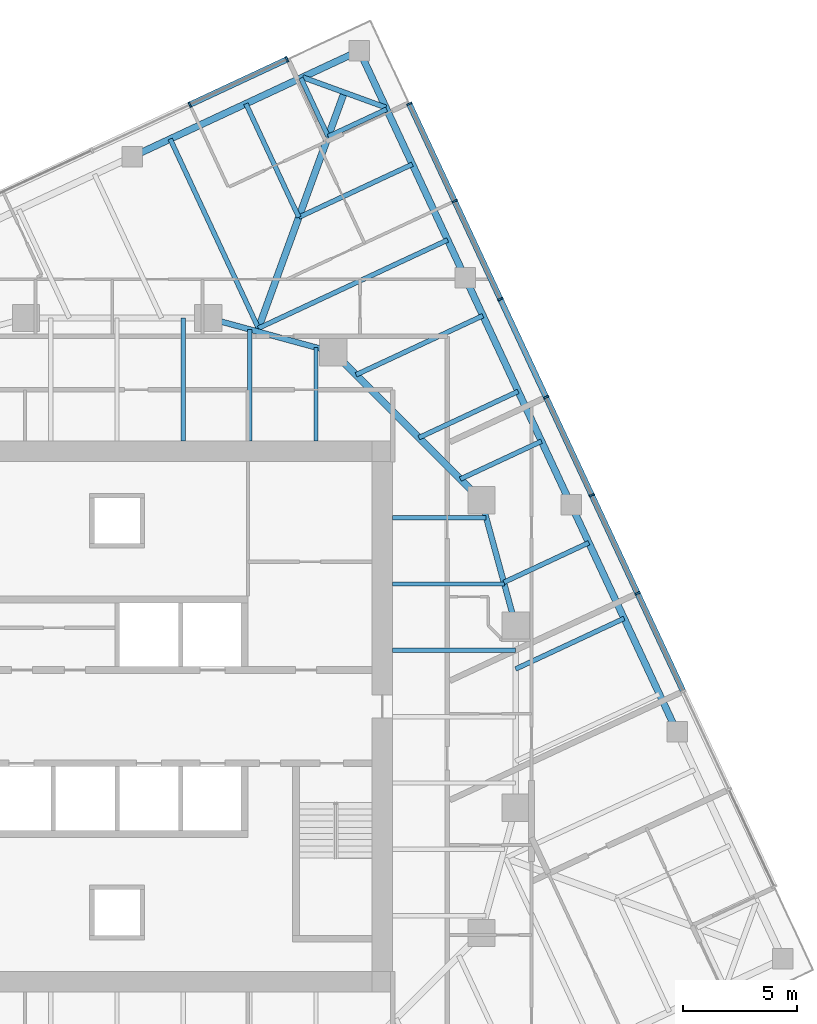
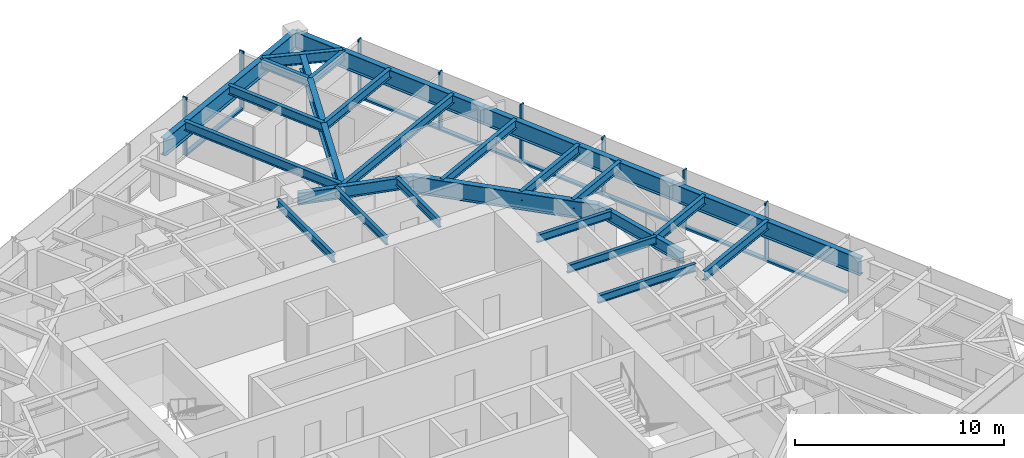
# One storey, part 5 of 13: 26 beams, 15 members, 2 elements without a shape of their own.
"""IFC4 building model written with IfcOpenShell, lengths in metres."""

from ifc_helpers import new_model, si_unit, direction, frame, origin, origin_2d, place, context, subcontext, project, spatial, rectangle, i_section, extrude, material, material_profile, profile_set, type_object, element, aggregate, save


model = new_model("IFC4")

# Units and contexts
model_context = context("Model", 3, precision=1e-05, world=origin(), true_north=direction((0.0, 1.0)))
body_context = subcontext(model_context, "Body", "Model", "MODEL_VIEW")
ifc_project = project(units=[si_unit("LENGTHUNIT", "METRE"), si_unit("AREAUNIT", "SQUARE_METRE"), si_unit("VOLUMEUNIT", "CUBIC_METRE"), si_unit("PLANEANGLEUNIT", "RADIAN"), si_unit("MASSUNIT", "GRAM", prefix="KILO")], contexts=[model_context])

# Site, building, storey
site_placement = place(None, origin())
site = spatial("IfcSite", under=ifc_project, at=site_placement, CompositionType="ELEMENT")
building_placement = place(site_placement, origin())
building = spatial("IfcBuilding", under=site, at=building_placement, Name="Torsade Residences", CompositionType="ELEMENT")
storey_placement = place(building_placement, frame((0.0, 0.0, 196.39990234375)))
storey = spatial("IfcBuildingStorey", under=building, at=storey_placement, Name="L54", CompositionType="ELEMENT", Elevation=196.39990234375)

# Beams
ifc_material_1 = material(Name="Steel grade 300", Category="steel")
ifc_material_profile_1 = material_profile(ifc_material_1, i_section(OverallWidth=0.300048828125, OverallDepth=0.89990234375, WebThickness=0.011962890625, FlangeThickness=0.02490234375, at=origin_2d()), Name="900WB175")
ifc_profile_set_1 = profile_set([ifc_material_profile_1], Name="Steel grade 300")
beam_type_1 = type_object("IfcBeamType", Name="CORNER GIRDER 900WB175", PredefinedType="BEAM", material=ifc_profile_set_1)
beam_1_placement = place(storey_placement, frame((49.97607421875, 57.4091796875, 2.800048828125), z_axis=(-0.342015044723, -0.93969447651, 0.0), x_axis=(0.93969447651, -0.342015044723, 0.0)))
element("IfcBeam", 1, at=beam_1_placement, inside=storey, type_object=beam_type_1, Name="Corner girder 09 L55", PredefinedType="BEAM", context=body_context, shape_type="SweptSolid", body=[
    extrude(i_section(OverallWidth=0.300048828125, OverallDepth=0.89990234375, WebThickness=0.011962890625, FlangeThickness=0.02490234375, at=origin_2d()), origin(), (0.0, 0.0, 1.0), 11.170654296875),
])
ifc_material_2 = material(Name="Steel grade 300", Category="steel")
ifc_material_profile_2 = material_profile(ifc_material_2, i_section(OverallWidth=0.22802734375, OverallDepth=0.60205078125, WebThickness=0.010498046875, FlangeThickness=0.014892578125, FilletRadius=0.013916015625, at=origin_2d()), Name="610UB101")
ifc_profile_set_2 = profile_set([ifc_material_profile_2], Name="Steel grade 300")
beam_type_2 = type_object("IfcBeamType", Name="CORNER TRIMMER 610UB101", PredefinedType="BEAM", material=ifc_profile_set_2)
beam_2_placement = place(storey_placement, frame((48.14892578125, 58.07421875, 2.94921875), z_axis=(0.939698076972, -0.342005152204, 0.0), x_axis=(0.342005152204, 0.939698076972, 0.0)))
element("IfcBeam", 2, at=beam_2_placement, inside=storey, type_object=beam_type_2, Name="Corner trimmer 09 L55", PredefinedType="BEAM", context=body_context, shape_type="SweptSolid", body=[
    extrude(i_section(OverallWidth=0.22802734375, OverallDepth=0.60205078125, WebThickness=0.010498046875, FlangeThickness=0.014892578125, FilletRadius=0.013916015625, at=origin_2d()), origin(), (0.0, 0.0, 1.0), 3.88916015625),
])
ifc_material_3 = material(Name="Steel grade 300", Category="steel")
ifc_material_profile_3 = material_profile(ifc_material_3, i_section(OverallWidth=0.300048828125, OverallDepth=1.0, WebThickness=0.01611328125, FlangeThickness=0.028076171875, at=origin_2d()), Name="1000WB215")
ifc_profile_set_3 = profile_set([ifc_material_profile_3], Name="Steel grade 300")
beam_type_3 = type_object("IfcBeamType", Name="EDGE BEAM 1000WB215", PredefinedType="SPANDREL", material=ifc_profile_set_3)
beam_3_placement = place(storey_placement, frame((64.587646484375, 29.328125, 2.75), z_axis=(-0.422624219007, 0.906305009094, 0.0), x_axis=(-0.906305009094, -0.422624219007, 0.0)))
element("IfcBeam", 3, at=beam_3_placement, inside=storey, type_object=beam_type_3, Name="Edge beam 06 L55", PredefinedType="SPANDREL", context=body_context, shape_type="SweptSolid", body=[
    extrude(i_section(OverallWidth=0.300048828125, OverallDepth=1.0, WebThickness=0.01611328125, FlangeThickness=0.028076171875, at=origin_2d()), origin(), (0.0, 0.0, 1.0), 11.000244140625),
])
for number, where, z_axis, x_axis, name in (
    (4, (59.938720703125, 39.297607421875, 2.75), (-0.422605988587, 0.906313510001, 0.0), (-0.906313510001, -0.422605988587, 0.0), "Edge beam 07 L55"),
    (5, (55.2900390625, 49.26708984375, 2.75), (-0.422632720171, 0.90630104482, 0.0), (-0.90630104482, -0.422632720171, 0.0), "Edge beam 08 L55"),
):
    element("IfcBeam", number, at=place(storey_placement, frame(where, z_axis=z_axis, x_axis=x_axis)), inside=storey, type_object=beam_type_3, Name=name, PredefinedType="SPANDREL", context=body_context, shape_type="SweptSolid", body=[
        extrude(i_section(OverallWidth=0.300048828125, OverallDepth=1.0, WebThickness=0.01611328125, FlangeThickness=0.028076171875, at=origin_2d()), origin(), (0.0, 0.0, 1.0), 11.0),
    ])
beam_4_placement = place(storey_placement, frame((50.64111328125, 59.236328125, 2.75), z_axis=(-0.906309546032, -0.422614489543, 0.0), x_axis=(0.422614489543, -0.906309546032, 0.0)))
element("IfcBeam", 6, at=beam_4_placement, inside=storey, type_object=beam_type_3, Name="Edge beam 09 L55", PredefinedType="SPANDREL", context=body_context, shape_type="SweptSolid", body=[
    extrude(i_section(OverallWidth=0.300048828125, OverallDepth=1.0, WebThickness=0.01611328125, FlangeThickness=0.028076171875, at=origin_2d()), origin(), (0.0, 0.0, 1.0), 10.999755859375),
])
ifc_material_4 = material(Name="Steel grade 300", Category="steel")
ifc_material_profile_4 = material_profile(ifc_material_4, i_section(OverallWidth=0.18994140625, OverallDepth=0.4541015625, WebThickness=0.008544921875, FlangeThickness=0.0126953125, FilletRadius=0.011474609375, at=origin_2d()), Name="460UB67.1")
ifc_profile_set_4 = profile_set([ifc_material_profile_4], Name="Steel grade 300")
beam_type_4 = type_object("IfcBeamType", Name="INNER FLOOR BEAM 460UB67.1", PredefinedType="JOIST", material=ifc_profile_set_4)
beam_5_placement = place(storey_placement, frame((42.91259765625, 42.10009765625, 3.023193359375), z_axis=(0.0, 1.0, 0.0), x_axis=(-1.0, 0.0, 0.0)))
element("IfcBeam", 7, at=beam_5_placement, inside=storey, type_object=beam_type_4, Name="Inner floor beam IN05 L55", PredefinedType="JOIST", context=body_context, shape_type="SweptSolid", body=[
    extrude(i_section(OverallWidth=0.18994140625, OverallDepth=0.4541015625, WebThickness=0.008544921875, FlangeThickness=0.0126953125, FilletRadius=0.011474609375, at=origin_2d()), origin(), (0.0, 0.0, 1.0), 5.39990234375),
])
beam_6_placement = place(storey_placement, frame((45.824951171875, 42.10009765625, 3.023193359375), z_axis=(0.0, 1.0, 0.0), x_axis=(-1.0, 0.0, 0.0)))
element("IfcBeam", 8, at=beam_6_placement, inside=storey, type_object=beam_type_4, Name="Inner floor beam IN06 L55", PredefinedType="JOIST", context=body_context, shape_type="SweptSolid", body=[
    extrude(i_section(OverallWidth=0.18994140625, OverallDepth=0.4541015625, WebThickness=0.008544921875, FlangeThickness=0.0126953125, FilletRadius=0.011474609375, at=origin_2d()), origin(), (0.0, 0.0, 1.0), 4.902099609375),
])
beam_7_placement = place(storey_placement, frame((48.737548828125, 42.10009765625, 3.023193359375), z_axis=(0.0, 1.0, 0.0), x_axis=(-1.0, 0.0, 0.0)))
element("IfcBeam", 9, at=beam_7_placement, inside=storey, type_object=beam_type_4, Name="Inner floor beam IN07 L55", PredefinedType="JOIST", context=body_context, shape_type="SweptSolid", body=[
    extrude(i_section(OverallWidth=0.18994140625, OverallDepth=0.4541015625, WebThickness=0.008544921875, FlangeThickness=0.0126953125, FilletRadius=0.011474609375, at=origin_2d()), origin(), (0.0, 0.0, 1.0), 4.10791015625),
])
beam_8_placement = place(storey_placement, frame((52.10009765625, 32.91259765625, 3.023193359375), z_axis=(1.0, 0.0, 0.0), x_axis=(0.0, 1.0, 0.0)))
element("IfcBeam", 10, at=beam_8_placement, inside=storey, type_object=beam_type_4, Name="Inner floor beam IE05 L55", PredefinedType="JOIST", context=body_context, shape_type="SweptSolid", body=[
    extrude(i_section(OverallWidth=0.18994140625, OverallDepth=0.4541015625, WebThickness=0.008544921875, FlangeThickness=0.0126953125, FilletRadius=0.011474609375, at=origin_2d()), origin(), (0.0, 0.0, 1.0), 5.39990234375),
])
beam_9_placement = place(storey_placement, frame((52.10009765625, 35.824951171875, 3.023193359375), z_axis=(1.0, 0.0, 0.0), x_axis=(0.0, 1.0, 0.0)))
element("IfcBeam", 11, at=beam_9_placement, inside=storey, type_object=beam_type_4, Name="Inner floor beam IE06 L55", PredefinedType="JOIST", context=body_context, shape_type="SweptSolid", body=[
    extrude(i_section(OverallWidth=0.18994140625, OverallDepth=0.4541015625, WebThickness=0.008544921875, FlangeThickness=0.0126953125, FilletRadius=0.011474609375, at=origin_2d()), origin(), (0.0, 0.0, 1.0), 4.902099609375),
])
beam_10_placement = place(storey_placement, frame((52.10009765625, 38.737548828125, 3.023193359375), z_axis=(1.0, 0.0, 0.0), x_axis=(0.0, 1.0, 0.0)))
element("IfcBeam", 12, at=beam_10_placement, inside=storey, type_object=beam_type_4, Name="Inner floor beam IE07 L55", PredefinedType="JOIST", context=body_context, shape_type="SweptSolid", body=[
    extrude(i_section(OverallWidth=0.18994140625, OverallDepth=0.4541015625, WebThickness=0.008544921875, FlangeThickness=0.0126953125, FilletRadius=0.011474609375, at=origin_2d()), origin(), (0.0, 0.0, 1.0), 4.10791015625),
])

# Curtain wall, members
ifc_material_5 = material(Name="Aluminium and glass", Category="aluminium")
curtain_wall_type = type_object("IfcCurtainWallType", Name="FRITTED GLASS CURTAIN WALL MID ZONE", PredefinedType="NOTDEFINED", material=ifc_material_5)
curtain_wall_1_placement = place(storey_placement, origin())
curtain_wall_1 = element("IfcCurtainWall", 13, at=curtain_wall_1_placement, inside=storey, type_object=curtain_wall_type, Name="Curtain wall L54 face 4", PredefinedType="NOTDEFINED")
ifc_material_6 = material(Name="Aluminium mullion", Category="aluminium")
ifc_material_profile_5 = material_profile(ifc_material_6, rectangle(XDim=0.25, YDim=0.080078125, at=origin_2d()), Name="MID ZONE CURTAIN WALL MULLION 250x80")
ifc_profile_set_5 = profile_set([ifc_material_profile_5], Name="Aluminium mullion")
member_type_1 = type_object("IfcMemberType", Name="MID ZONE CURTAIN WALL MULLION 250x80", PredefinedType="MULLION", material=ifc_profile_set_5)
member_1_placement = place(storey_placement, frame((62.8525390625, 35.415283203125, 0.0), z_axis=(0.0, 0.0, 1.0), x_axis=(-0.906307786926, -0.422618261978, 0.0)))
member_1 = element("IfcMember", 14, at=member_1_placement, type_object=member_type_1, Name="Mullion 4", PredefinedType="MULLION", context=body_context, shape_type="SweptSolid", body=[
    extrude(rectangle(XDim=0.25, YDim=0.080078125, at=origin_2d()), origin(), (0.0, 0.0, 1.0), 3.400146484375),
])
member_2_placement = place(storey_placement, frame((60.844970703125, 39.72021484375, 0.0), z_axis=(0.0, 0.0, 1.0), x_axis=(-0.906307786926, -0.422618261978, 0.0)))
member_2 = element("IfcMember", 15, at=member_2_placement, type_object=member_type_1, Name="Mullion 5", PredefinedType="MULLION", context=body_context, shape_type="SweptSolid", body=[
    extrude(rectangle(XDim=0.25, YDim=0.080078125, at=origin_2d()), origin(), (0.0, 0.0, 1.0), 3.400146484375),
])
member_3_placement = place(storey_placement, frame((58.837646484375, 44.025146484375, 0.0), z_axis=(0.0, 0.0, 1.0), x_axis=(-0.906307786926, -0.422618261978, 0.0)))
member_3 = element("IfcMember", 16, at=member_3_placement, type_object=member_type_1, Name="Mullion 6", PredefinedType="MULLION", context=body_context, shape_type="SweptSolid", body=[
    extrude(rectangle(XDim=0.25, YDim=0.080078125, at=origin_2d()), origin(), (0.0, 0.0, 1.0), 3.400146484375),
])
member_4_placement = place(storey_placement, frame((56.830322265625, 48.330078125, 0.0), z_axis=(0.0, 0.0, 1.0), x_axis=(-0.906307786926, -0.422618261978, 0.0)))
member_4 = element("IfcMember", 17, at=member_4_placement, type_object=member_type_1, Name="Mullion 7", PredefinedType="MULLION", context=body_context, shape_type="SweptSolid", body=[
    extrude(rectangle(XDim=0.25, YDim=0.080078125, at=origin_2d()), origin(), (0.0, 0.0, 1.0), 3.400146484375),
])
member_5_placement = place(storey_placement, frame((54.82275390625, 52.635009765625, 0.0), z_axis=(0.0, 0.0, 1.0), x_axis=(-0.906307786926, -0.422618261978, 0.0)))
member_5 = element("IfcMember", 18, at=member_5_placement, type_object=member_type_1, Name="Mullion 8", PredefinedType="MULLION", context=body_context, shape_type="SweptSolid", body=[
    extrude(rectangle(XDim=0.25, YDim=0.080078125, at=origin_2d()), origin(), (0.0, 0.0, 1.0), 3.400146484375),
])
member_6_placement = place(storey_placement, frame((52.832275390625, 56.90380859375, 0.0), z_axis=(0.0, 0.0, 1.0), x_axis=(-0.906307786926, -0.422618261978, 0.0)))
member_6 = element("IfcMember", 19, at=member_6_placement, type_object=member_type_1, Name="Mullion 9", PredefinedType="MULLION", context=body_context, shape_type="SweptSolid", body=[
    extrude(rectangle(XDim=0.25, YDim=0.080078125, at=origin_2d()), origin(), (0.0, 0.0, 1.0), 3.400146484375),
])

curtain_wall_2_placement = place(storey_placement, origin())
curtain_wall_2 = element("IfcCurtainWall", 20, at=curtain_wall_2_placement, inside=storey, type_object=curtain_wall_type, Name="Curtain wall L54 face 7", PredefinedType="NOTDEFINED")
member_7_placement = place(storey_placement, frame((47.46337890625, 58.85791015625, 0.0), z_axis=(0.0, 0.0, 1.0), x_axis=(0.422618261978, -0.906307786926, 0.0)))
member_7 = element("IfcMember", 21, at=member_7_placement, type_object=member_type_1, Name="Mullion 1", PredefinedType="MULLION", context=body_context, shape_type="SweptSolid", body=[
    extrude(rectangle(XDim=0.25, YDim=0.080078125, at=origin_2d()), origin(), (0.0, 0.0, 1.0), 3.400146484375),
])
member_8_placement = place(storey_placement, frame((43.194580078125, 56.867431640625, 0.0), z_axis=(0.0, 0.0, 1.0), x_axis=(0.422618261978, -0.906307786926, 0.0)))
member_8 = element("IfcMember", 22, at=member_8_placement, type_object=member_type_1, Name="Mullion 2", PredefinedType="MULLION", context=body_context, shape_type="SweptSolid", body=[
    extrude(rectangle(XDim=0.25, YDim=0.080078125, at=origin_2d()), origin(), (0.0, 0.0, 1.0), 3.400146484375),
])

# Member
ifc_material_7 = material(Name="Aluminium transom", Category="aluminium")
ifc_material_profile_6 = material_profile(ifc_material_7, rectangle(XDim=0.25, YDim=0.110107421875, at=origin_2d()), Name="MID ZONE CURTAIN WALL TRANSOM 250x110")
ifc_profile_set_6 = profile_set([ifc_material_profile_6], Name="Aluminium transom")
member_type_2 = type_object("IfcMemberType", Name="MID ZONE CURTAIN WALL TRANSOM 250x110", PredefinedType="USERDEFINED", material=ifc_profile_set_6)
member_9_placement = place(storey_placement, frame((64.843017578125, 31.146484375, 0.05517578125), z_axis=(-0.422622145291, 0.906305976097, 0.0), x_axis=(-0.906305976097, -0.422622145291, 0.0)))
member_9 = element("IfcMember", 23, at=member_9_placement, type_object=member_type_2, Name="Transom 3.1", ObjectType="TRANSOM", PredefinedType="USERDEFINED", context=body_context, shape_type="SweptSolid", body=[
    extrude(rectangle(XDim=0.25, YDim=0.110107421875, at=origin_2d()), origin(), (0.0, 0.0, 1.0), 4.669921875),
])

member_10_placement = place(storey_placement, frame((62.835693359375, 35.451416015625, 0.05517578125), z_axis=(-0.422602122035, 0.90631531293, 0.0), x_axis=(-0.90631531293, -0.422602122035, 0.0)))
member_10 = element("IfcMember", 24, at=member_10_placement, type_object=member_type_2, Name="Transom 4.1", ObjectType="TRANSOM", PredefinedType="USERDEFINED", context=body_context, shape_type="SweptSolid", body=[
    extrude(rectangle(XDim=0.25, YDim=0.110107421875, at=origin_2d()), origin(), (0.0, 0.0, 1.0), 4.670166015625),
])

member_11_placement = place(storey_placement, frame((60.828125, 39.756591796875, 0.05517578125), z_axis=(-0.422622145291, 0.906305976097, 0.0), x_axis=(-0.906305976097, -0.422622145291, 0.0)))
member_11 = element("IfcMember", 25, at=member_11_placement, type_object=member_type_2, Name="Transom 5.1", ObjectType="TRANSOM", PredefinedType="USERDEFINED", context=body_context, shape_type="SweptSolid", body=[
    extrude(rectangle(XDim=0.25, YDim=0.110107421875, at=origin_2d()), origin(), (0.0, 0.0, 1.0), 4.669921875),
])

member_12_placement = place(storey_placement, frame((58.82080078125, 44.0615234375, 0.05517578125), z_axis=(-0.422622145291, 0.906305976097, 0.0), x_axis=(-0.906305976097, -0.422622145291, 0.0)))
member_12 = element("IfcMember", 26, at=member_12_placement, type_object=member_type_2, Name="Transom 6.1", ObjectType="TRANSOM", PredefinedType="USERDEFINED", context=body_context, shape_type="SweptSolid", body=[
    extrude(rectangle(XDim=0.25, YDim=0.110107421875, at=origin_2d()), origin(), (0.0, 0.0, 1.0), 4.669921875),
])

member_13_placement = place(storey_placement, frame((56.813232421875, 48.366455078125, 0.05517578125), z_axis=(-0.422622145291, 0.906305976097, 0.0), x_axis=(-0.906305976097, -0.422622145291, 0.0)))
member_13 = element("IfcMember", 27, at=member_13_placement, type_object=member_type_2, Name="Transom 7.1", ObjectType="TRANSOM", PredefinedType="USERDEFINED", context=body_context, shape_type="SweptSolid", body=[
    extrude(rectangle(XDim=0.25, YDim=0.110107421875, at=origin_2d()), origin(), (0.0, 0.0, 1.0), 4.669921875),
])

member_14_placement = place(storey_placement, frame((54.805908203125, 52.67138671875, 0.05517578125), z_axis=(-0.422622764878, 0.906305687176, 0.0), x_axis=(-0.906305687176, -0.422622764878, 0.0)))
member_14 = element("IfcMember", 28, at=member_14_placement, type_object=member_type_2, Name="Transom 8.1", ObjectType="TRANSOM", PredefinedType="USERDEFINED", context=body_context, shape_type="SweptSolid", body=[
    extrude(rectangle(XDim=0.25, YDim=0.110107421875, at=origin_2d()), origin(), (0.0, 0.0, 1.0), 4.630126953125),
])

aggregate(curtain_wall_1, [member_1, member_2, member_3, member_4, member_5, member_6, member_9, member_10, member_11, member_12, member_13, member_14])

member_15_placement = place(storey_placement, frame((47.427001953125, 58.841064453125, 0.05517578125), z_axis=(-0.906296268578, -0.422642962277, 0.0), x_axis=(0.422642962277, -0.906296268578, 0.0)))
member_15 = element("IfcMember", 29, at=member_15_placement, type_object=member_type_2, Name="Transom 1.1", ObjectType="TRANSOM", PredefinedType="USERDEFINED", context=body_context, shape_type="SweptSolid", body=[
    extrude(rectangle(XDim=0.25, YDim=0.110107421875, at=origin_2d()), origin(), (0.0, 0.0, 1.0), 4.6298828125),
])

aggregate(curtain_wall_2, [member_7, member_8, member_15])

# Beams
ifc_material_8 = material(Name="Steel grade 300", Category="steel")
ifc_material_profile_7 = material_profile(ifc_material_8, i_section(OverallWidth=0.300048828125, OverallDepth=1.0, WebThickness=0.01611328125, FlangeThickness=0.028076171875, at=origin_2d()), Name="1000WB215")
ifc_profile_set_7 = profile_set([ifc_material_profile_7], Name="Steel grade 300")
beam_type_5 = type_object("IfcBeamType", Name="RING CORNER GIRDER 1000WB215", PredefinedType="BEAM", material=ifc_profile_set_7)
beam_11_placement = place(storey_placement, frame((56.0, 39.5, 2.75), z_axis=(-0.707106781187, 0.707106781187, 0.0), x_axis=(-0.707106781187, -0.707106781187, 0.0)))
element("IfcBeam", 30, at=beam_11_placement, inside=storey, type_object=beam_type_5, Name="Ring girder IR03 L55", PredefinedType="BEAM", context=body_context, shape_type="SweptSolid", body=[
    extrude(i_section(OverallWidth=0.300048828125, OverallDepth=1.0, WebThickness=0.01611328125, FlangeThickness=0.028076171875, at=origin_2d()), origin(), (0.0, 0.0, 1.0), 9.1923828125),
])
ifc_material_9 = material(Name="Steel grade 300", Category="steel")
ifc_material_profile_8 = material_profile(ifc_material_9, i_section(OverallWidth=0.25, OverallDepth=0.699951171875, WebThickness=0.010009765625, FlangeThickness=0.02001953125, at=origin_2d()), Name="700WB130")
ifc_profile_set_8 = profile_set([ifc_material_profile_8], Name="Steel grade 300")
beam_type_6 = type_object("IfcBeamType", Name="RING GIRDER 700WB130", PredefinedType="BEAM", material=ifc_profile_set_8)
for number, where, z_axis, x_axis, name in (
    (31, (57.5, 34.0, 2.900146484375), (-0.263117405792, 0.964763821238, 0.0), (-0.964763821238, -0.263117405792, 0.0), "Ring girder IR02 L55"),
    (32, (49.5, 46.0, 2.900146484375), (-0.964763821238, 0.263117405792, 0.0), (-0.263117405792, -0.964763821238, 0.0), "Ring girder IR04 L55"),
):
    element("IfcBeam", number, at=place(storey_placement, frame(where, z_axis=z_axis, x_axis=x_axis)), inside=storey, type_object=beam_type_6, Name=name, PredefinedType="BEAM", context=body_context, shape_type="SweptSolid", body=[
        extrude(i_section(OverallWidth=0.25, OverallDepth=0.699951171875, WebThickness=0.010009765625, FlangeThickness=0.02001953125, at=origin_2d()), origin(), (0.0, 0.0, 1.0), 5.700927734375),
    ])
ifc_material_10 = material(Name="Steel grade 300", Category="steel")
ifc_material_profile_9 = material_profile(ifc_material_10, i_section(OverallWidth=0.208984375, OverallDepth=0.528076171875, WebThickness=0.009521484375, FlangeThickness=0.01318359375, FilletRadius=0.013916015625, at=origin_2d()), Name="530UB82.0")
ifc_profile_set_9 = profile_set([ifc_material_profile_9], Name="Steel grade 300")
beam_type_7 = type_object("IfcBeamType", Name="SECONDARY BEAM 530UB82.0", PredefinedType="JOIST", material=ifc_profile_set_9)
beam_12_placement = place(storey_placement, frame((62.26318359375, 34.31298828125, 2.986083984375), z_axis=(-0.90630178035, -0.422631142882, 0.0), x_axis=(0.422631142882, -0.90630178035, 0.0)))
element("IfcBeam", 33, at=beam_12_placement, inside=storey, type_object=beam_type_7, Name="Floor beam FE05 L55", PredefinedType="JOIST", context=body_context, shape_type="SweptSolid", body=[
    extrude(i_section(OverallWidth=0.208984375, OverallDepth=0.528076171875, WebThickness=0.009521484375, FlangeThickness=0.01318359375, FilletRadius=0.013916015625, at=origin_2d()), origin(), (0.0, 0.0, 1.0), 5.255615234375),
])
beam_13_placement = place(storey_placement, frame((60.713623046875, 37.635986328125, 2.986083984375), z_axis=(-0.906299775267, -0.422635442612, 0.0), x_axis=(0.422635442612, -0.906299775267, 0.0)))
element("IfcBeam", 34, at=beam_13_placement, inside=storey, type_object=beam_type_7, Name="Floor beam FE06 L55", PredefinedType="JOIST", context=body_context, shape_type="SweptSolid", body=[
    extrude(i_section(OverallWidth=0.208984375, OverallDepth=0.528076171875, WebThickness=0.009521484375, FlangeThickness=0.01318359375, FilletRadius=0.013916015625, at=origin_2d()), origin(), (0.0, 0.0, 1.0), 4.116455078125),
])
beam_14_placement = place(storey_placement, frame((58.6357421875, 42.092041015625, 2.986083984375), z_axis=(-0.906295680735, -0.422644222818, 0.0), x_axis=(0.422644222818, -0.906295680735, 0.0)))
element("IfcBeam", 35, at=beam_14_placement, inside=storey, type_object=beam_type_7, Name="Floor beam FE07 L55", PredefinedType="JOIST", context=body_context, shape_type="SweptSolid", body=[
    extrude(i_section(OverallWidth=0.208984375, OverallDepth=0.528076171875, WebThickness=0.009521484375, FlangeThickness=0.01318359375, FilletRadius=0.013916015625, at=origin_2d()), origin(), (0.0, 0.0, 1.0), 3.933837890625),
])
beam_15_placement = place(storey_placement, frame((57.6142578125, 44.2822265625, 2.986083984375), z_axis=(-0.906307500203, -0.422618876857, 0.0), x_axis=(0.422618876857, -0.906307500203, 0.0)))
element("IfcBeam", 36, at=beam_15_placement, inside=storey, type_object=beam_type_7, Name="Floor beam FE08 L55", PredefinedType="JOIST", context=body_context, shape_type="SweptSolid", body=[
    extrude(i_section(OverallWidth=0.208984375, OverallDepth=0.528076171875, WebThickness=0.009521484375, FlangeThickness=0.01318359375, FilletRadius=0.013916015625, at=origin_2d()), origin(), (0.0, 0.0, 1.0), 4.813232421875),
])
beam_16_placement = place(storey_placement, frame((56.064697265625, 47.60546875, 2.986083984375), z_axis=(-0.906293692233, -0.42264848683, 0.0), x_axis=(0.42264848683, -0.906293692233, 0.0)))
element("IfcBeam", 37, at=beam_16_placement, inside=storey, type_object=beam_type_7, Name="Floor beam FE09 L55", PredefinedType="JOIST", context=body_context, shape_type="SweptSolid", body=[
    extrude(i_section(OverallWidth=0.208984375, OverallDepth=0.528076171875, WebThickness=0.009521484375, FlangeThickness=0.01318359375, FilletRadius=0.013916015625, at=origin_2d()), origin(), (0.0, 0.0, 1.0), 6.14794921875),
])
beam_17_placement = place(storey_placement, frame((54.51513671875, 50.928466796875, 2.986083984375), z_axis=(-0.90630761667, -0.422618627092, 0.0), x_axis=(0.422618627092, -0.90630761667, 0.0)))
element("IfcBeam", 38, at=beam_17_placement, inside=storey, type_object=beam_type_7, Name="Floor beam FE10 L55", PredefinedType="JOIST", context=body_context, shape_type="SweptSolid", body=[
    extrude(i_section(OverallWidth=0.208984375, OverallDepth=0.528076171875, WebThickness=0.009521484375, FlangeThickness=0.01318359375, FilletRadius=0.013916015625, at=origin_2d()), origin(), (0.0, 0.0, 1.0), 9.166748046875),
])
beam_18_placement = place(storey_placement, frame((52.965576171875, 54.251708984375, 2.986083984375), z_axis=(-0.90630104482, -0.422632720171, 0.0), x_axis=(0.422632720171, -0.90630104482, 0.0)))
element("IfcBeam", 39, at=beam_18_placement, inside=storey, type_object=beam_type_7, Name="Floor beam FE11 L55", PredefinedType="JOIST", context=body_context, shape_type="SweptSolid", body=[
    extrude(i_section(OverallWidth=0.208984375, OverallDepth=0.528076171875, WebThickness=0.009521484375, FlangeThickness=0.01318359375, FilletRadius=0.013916015625, at=origin_2d()), origin(), (0.0, 0.0, 1.0), 5.5),
])
for number, where, z_axis, x_axis, name in (
    (40, (51.838623046875, 56.66845703125, 2.986083984375), (-0.906328379221, -0.42257409885, 0.0), (0.42257409885, -0.906328379221, 0.0), "Floor beam FE12 L55"),
    (41, (48.0732421875, 58.0390625, 2.986083984375), (0.422644877104, -0.906295375613, 0.0), (0.906295375613, 0.422644877104, 0.0), "Floor beam FN01 L55"),
):
    element("IfcBeam", number, at=place(storey_placement, frame(where, z_axis=z_axis, x_axis=x_axis)), inside=storey, type_object=beam_type_7, Name=name, PredefinedType="JOIST", context=body_context, shape_type="SweptSolid", body=[
        extrude(i_section(OverallWidth=0.208984375, OverallDepth=0.528076171875, WebThickness=0.009521484375, FlangeThickness=0.01318359375, FilletRadius=0.013916015625, at=origin_2d()), origin(), (0.0, 0.0, 1.0), 2.833251953125),
    ])
beam_19_placement = place(storey_placement, frame((45.656494140625, 56.911865234375, 2.986083984375), z_axis=(0.422632720171, -0.90630104482, 0.0), x_axis=(0.90630104482, 0.422632720171, 0.0)))
element("IfcBeam", 42, at=beam_19_placement, inside=storey, type_object=beam_type_7, Name="Floor beam FN02 L55", PredefinedType="JOIST", context=body_context, shape_type="SweptSolid", body=[
    extrude(i_section(OverallWidth=0.208984375, OverallDepth=0.528076171875, WebThickness=0.009521484375, FlangeThickness=0.01318359375, FilletRadius=0.013916015625, at=origin_2d()), origin(), (0.0, 0.0, 1.0), 5.5),
])
beam_20_placement = place(storey_placement, frame((42.333251953125, 55.3623046875, 2.986083984375), z_axis=(0.422618627092, -0.90630761667, 0.0), x_axis=(0.90630761667, 0.422618627092, 0.0)))
element("IfcBeam", 43, at=beam_20_placement, inside=storey, type_object=beam_type_7, Name="Floor beam FN03 L55", PredefinedType="JOIST", context=body_context, shape_type="SweptSolid", body=[
    extrude(i_section(OverallWidth=0.208984375, OverallDepth=0.528076171875, WebThickness=0.009521484375, FlangeThickness=0.01318359375, FilletRadius=0.013916015625, at=origin_2d()), origin(), (0.0, 0.0, 1.0), 9.166748046875),
])

save(model, "model.ifc")
